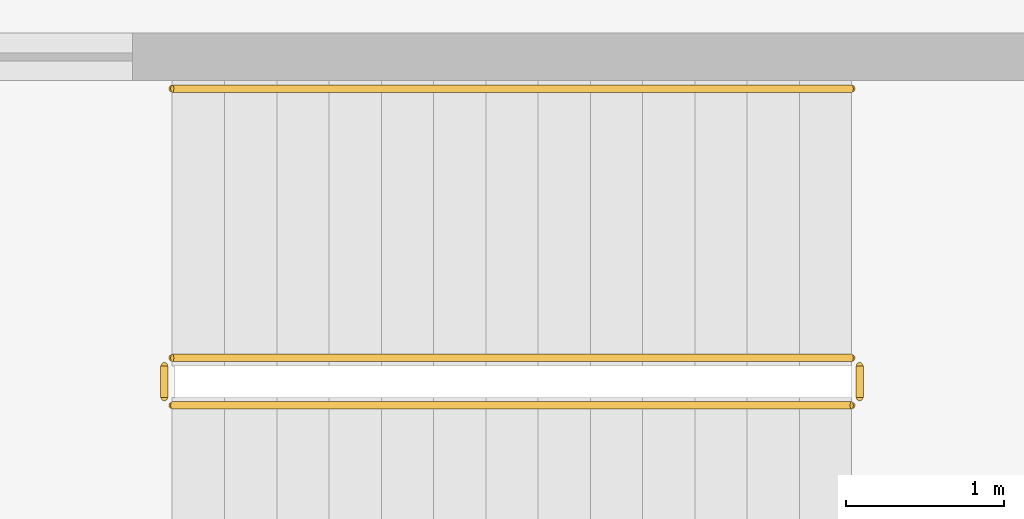
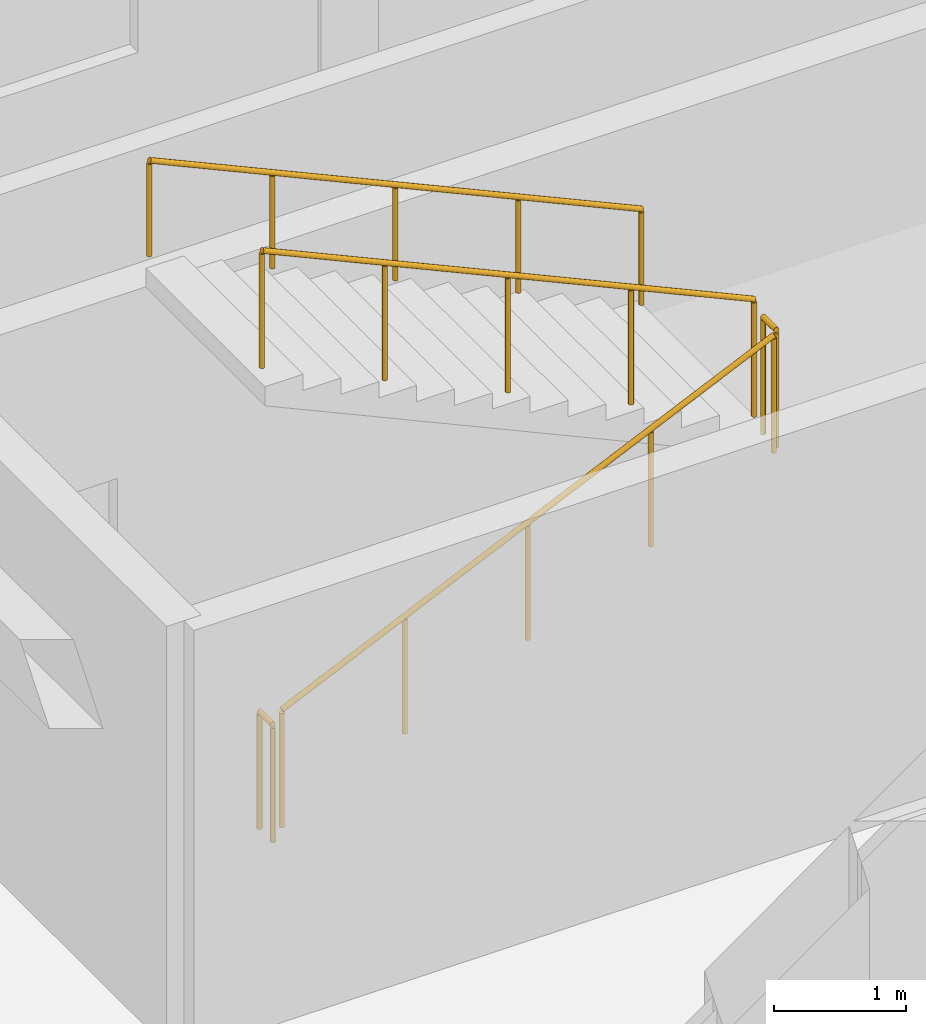
# One storey, part 39 of 41: 5 railings.
"""IFC4 building model written with IfcOpenShell, lengths in metres."""

from ifc_helpers import new_model, si_unit, direction, frame, origin, origin_2d, place, context, subcontext, project, spatial, circle, extrude, material, layer, layer_set, type_object, element, save


model = new_model("IFC4")

# Units and contexts
model_context = context("Model", 3, precision=1e-05, world=origin(), true_north=direction((0.0, 1.0)))
body_context = subcontext(model_context, "Body", "Model", "MODEL_VIEW")
ifc_project = project(units=[si_unit("LENGTHUNIT", "METRE"), si_unit("AREAUNIT", "SQUARE_METRE"), si_unit("VOLUMEUNIT", "CUBIC_METRE"), si_unit("PLANEANGLEUNIT", "RADIAN"), si_unit("MASSUNIT", "GRAM", prefix="KILO")], contexts=[model_context])

# Site, building, storey
site_placement = place(None, origin())
site = spatial("IfcSite", under=ifc_project, at=site_placement, CompositionType="ELEMENT")
building_placement = place(site_placement, origin())
building = spatial("IfcBuilding", under=site, at=building_placement, Name="Malvenik Polytechnic", CompositionType="ELEMENT")
storey_placement = place(building_placement, frame((0.0, 0.0, 17.699951171875)))
storey = spatial("IfcBuildingStorey", under=building, at=storey_placement, Name="L04", CompositionType="ELEMENT", Elevation=17.699951171875)

# Railings
ifc_material_1 = material(Name="Painted galvanised steel stair well balustrade 1100mm", Category="steel")
ifc_layer_1 = layer(ifc_material_1, 0.050048828125)
ifc_layer_set_1 = layer_set([ifc_layer_1], Name="Painted galvanised steel stair well balustrade 1100mm")
railing_type_1 = type_object("IfcRailingType", Name="ARC-RL-STGD", PredefinedType="BALUSTRADE", material=ifc_layer_set_1)
railing_1_placement = place(storey_placement, frame((11.39990234375, 120.89990234375, 0.150146484375)))
element("IfcRailing", 1, at=railing_1_placement, inside=storey, type_object=railing_type_1, Name="L04 ST-01 stair guard 1", PredefinedType="BALUSTRADE", context=body_context, shape_type="SweptSolid", body=[
    extrude(circle(Radius=0.02392578125, at=origin_2d()), frame((0.0, 0.0, 1.076171875), z_axis=(0.910371800137, 0.0, 0.413791234219), x_axis=(0.0, 1.0, 0.0)), (0.0, 0.0, 1.0), 4.71240234375),
    extrude(circle(Radius=0.02099609375, at=origin_2d()), origin(), (0.0, 0.0, 1.0), 1.052001953125),
    extrude(circle(Radius=0.02099609375, at=origin_2d()), frame((1.072509765625, 0.0, 0.487548828125)), (0.0, 0.0, 1.0), 1.052001953125),
    extrude(circle(Radius=0.02099609375, at=origin_2d()), frame((2.14501953125, 0.0, 0.97509765625)), (0.0, 0.0, 1.0), 1.052001953125),
    extrude(circle(Radius=0.02099609375, at=origin_2d()), frame((3.217529296875, 0.0, 1.46240234375)), (0.0, 0.0, 1.0), 1.052001953125),
    extrude(circle(Radius=0.02099609375, at=origin_2d()), frame((4.2900390625, 0.0, 1.949951171875)), (0.0, 0.0, 1.0), 1.052001953125),
])
railing_2_placement = place(storey_placement, frame((15.739990234375, 120.949951171875, 2.10009765625)))
element("IfcRailing", 2, at=railing_2_placement, inside=storey, type_object=railing_type_1, Name="L04 ST-01 stair guard 2", PredefinedType="BALUSTRADE", context=body_context, shape_type="SweptSolid", body=[
    extrude(circle(Radius=0.02392578125, at=origin_2d()), frame((0.0, 0.0, 1.076171875), z_axis=(0.0, 1.0, 0.0), x_axis=(-1.0, 0.0, 0.0)), (0.0, 0.0, 1.0), 0.199951171875),
    extrude(circle(Radius=0.02099609375, at=origin_2d()), origin(), (0.0, 0.0, 1.0), 1.052001953125),
    extrude(circle(Radius=0.02099609375, at=origin_2d()), frame((0.0, 0.199951171875, 0.0)), (0.0, 0.0, 1.0), 1.052001953125),
])
railing_3_placement = place(storey_placement, frame((15.68994140625, 121.199951171875, 2.25)))
element("IfcRailing", 3, at=railing_3_placement, inside=storey, type_object=railing_type_1, Name="L04 ST-01 stair guard 3", PredefinedType="BALUSTRADE", context=body_context, shape_type="SweptSolid", body=[
    extrude(circle(Radius=0.02392578125, at=origin_2d()), frame((0.0, 0.0, 1.076171875), z_axis=(-0.910371800137, 0.0, 0.413791234219), x_axis=(0.0, -1.0, 0.0)), (0.0, 0.0, 1.0), 4.71240234375),
    extrude(circle(Radius=0.02099609375, at=origin_2d()), origin(), (0.0, 0.0, 1.0), 1.052001953125),
    extrude(circle(Radius=0.02099609375, at=origin_2d()), frame((-1.072509765625, 0.0, 0.487548828125)), (0.0, 0.0, 1.0), 1.052001953125),
    extrude(circle(Radius=0.02099609375, at=origin_2d()), frame((-2.14501953125, 0.0, 0.97509765625)), (0.0, 0.0, 1.0), 1.052001953125),
    extrude(circle(Radius=0.02099609375, at=origin_2d()), frame((-3.217529296875, 0.0, 1.46240234375)), (0.0, 0.0, 1.0), 1.052001953125),
    extrude(circle(Radius=0.02099609375, at=origin_2d()), frame((-4.2900390625, 0.0, 1.949951171875)), (0.0, 0.0, 1.0), 1.052001953125),
])
railing_4_placement = place(storey_placement, frame((11.35009765625, 120.949951171875, 0.0)))
element("IfcRailing", 4, at=railing_4_placement, inside=storey, type_object=railing_type_1, Name="L04 ST-01 stair guard 4", PredefinedType="BALUSTRADE", context=body_context, shape_type="SweptSolid", body=[
    extrude(circle(Radius=0.02392578125, at=origin_2d()), frame((0.0, 0.0, 1.076171875), z_axis=(0.0, 1.0, 0.0), x_axis=(-1.0, 0.0, 0.0)), (0.0, 0.0, 1.0), 0.199951171875),
    extrude(circle(Radius=0.02099609375, at=origin_2d()), origin(), (0.0, 0.0, 1.0), 1.052001953125),
    extrude(circle(Radius=0.02099609375, at=origin_2d()), frame((0.0, 0.199951171875, 0.0)), (0.0, 0.0, 1.0), 1.052001953125),
])
ifc_material_2 = material(Name="Brushed stainless steel 1.4301 stair wall handrail", Category="steel")
ifc_layer_2 = layer(ifc_material_2, 0.044921875)
ifc_layer_set_2 = layer_set([ifc_layer_2], Name="Brushed stainless steel 1.4301 stair wall handrail")
railing_type_2 = type_object("IfcRailingType", Name="ARC-RL-STHR", PredefinedType="HANDRAIL", material=ifc_layer_set_2)
railing_5_placement = place(storey_placement, frame((15.68994140625, 122.89990234375, 2.25)))
element("IfcRailing", 5, at=railing_5_placement, inside=storey, type_object=railing_type_2, Name="L04 ST-01 stair handrail 2", PredefinedType="HANDRAIL", context=body_context, shape_type="SweptSolid", body=[
    extrude(circle(Radius=0.02392578125, at=origin_2d()), frame((0.0, 0.0, 0.8759765625), z_axis=(-0.910371800137, 0.0, 0.413791234219), x_axis=(0.0, -1.0, 0.0)), (0.0, 0.0, 1.0), 4.71240234375),
    extrude(circle(Radius=0.02099609375, at=origin_2d()), origin(), (0.0, 0.0, 1.0), 0.851806640625),
    extrude(circle(Radius=0.02099609375, at=origin_2d()), frame((-1.072509765625, 0.0, 0.487548828125)), (0.0, 0.0, 1.0), 0.851806640625),
    extrude(circle(Radius=0.02099609375, at=origin_2d()), frame((-2.14501953125, 0.0, 0.97509765625)), (0.0, 0.0, 1.0), 0.851806640625),
    extrude(circle(Radius=0.02099609375, at=origin_2d()), frame((-3.217529296875, 0.0, 1.46240234375)), (0.0, 0.0, 1.0), 0.851806640625),
    extrude(circle(Radius=0.02099609375, at=origin_2d()), frame((-4.2900390625, 0.0, 1.949951171875)), (0.0, 0.0, 1.0), 0.851806640625),
])

save(model, "model.ifc")
